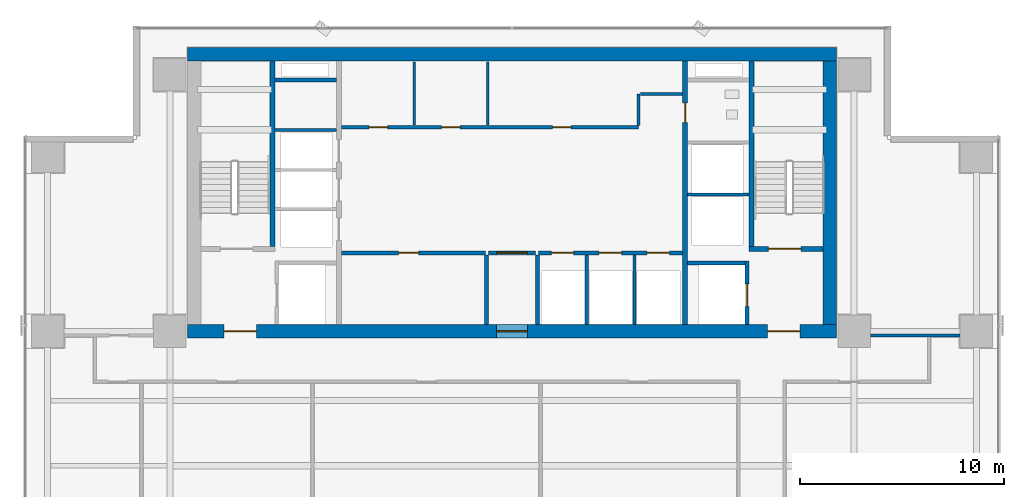
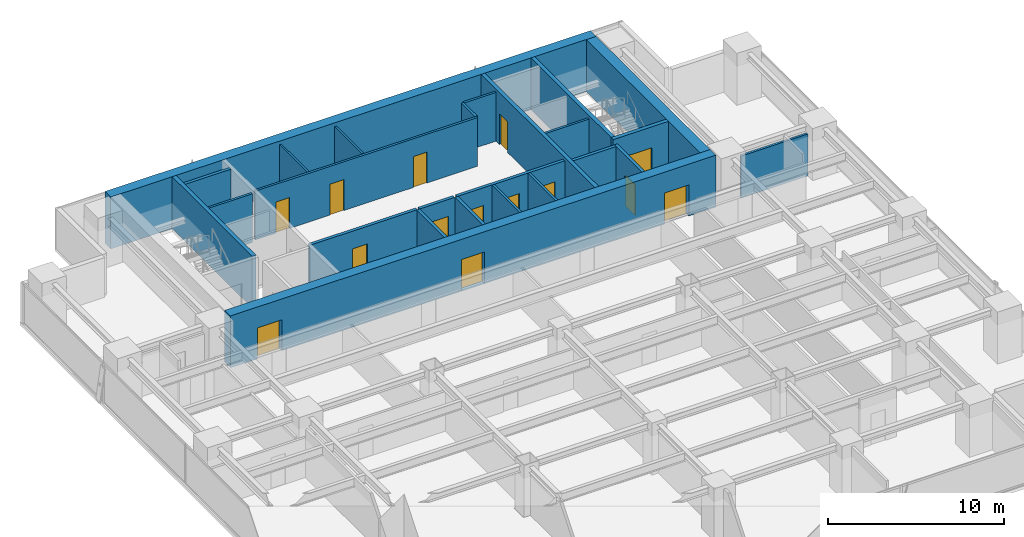
# One storey, part 22 of 28: 25 walls, 14 doors, 14 openings.
"""IFC4 building model written with IfcOpenShell, lengths in metres."""

from ifc_helpers import new_model, si_unit, direction, frame, frame_2d, origin, place, context, subcontext, project, spatial, rectangle, extrude, source, transform, mapped, material, layer, layer_set, type_object, element, fill, save


model = new_model("IFC4")

# Units and contexts
model_context = context("Model", 3, precision=1e-05, world=origin(), true_north=direction((0.0, 1.0)))
body_context = subcontext(model_context, "Body", "Model", "MODEL_VIEW")
ifc_project = project(units=[si_unit("LENGTHUNIT", "METRE"), si_unit("AREAUNIT", "SQUARE_METRE"), si_unit("VOLUMEUNIT", "CUBIC_METRE"), si_unit("PLANEANGLEUNIT", "RADIAN"), si_unit("MASSUNIT", "GRAM", prefix="KILO")], contexts=[model_context])

# Site, building, storey
site_placement = place(None, origin())
site = spatial("IfcSite", under=ifc_project, at=site_placement, CompositionType="ELEMENT")
building_placement = place(site_placement, origin())
building = spatial("IfcBuilding", under=site, at=building_placement, Name="Sumidabori Civic Tower", CompositionType="ELEMENT")
storey_placement = place(building_placement, frame((0.0, 0.0, 153.199951171875)))
storey = spatial("IfcBuildingStorey", under=building, at=storey_placement, Name="L39", CompositionType="ELEMENT", Elevation=153.199951171875)

# Walls
ifc_material_1 = material(Name="Concrete C50/60", Category="concrete")
ifc_layer_1 = layer(ifc_material_1, 0.199951171875, Name="Concrete C50/60")
ifc_layer_set_1 = layer_set([ifc_layer_1], Name="Concrete C50/60")
wall_type_1 = type_object("IfcWallType", Name="WL-SHAFT-200", PredefinedType="SHEAR", material=ifc_layer_set_1)
shared_shape_1 = source(origin(), body_context, "Body", "SweptSolid", [
    extrude(rectangle(XDim=2.824951171875, YDim=0.199951171875, at=frame_2d((1.41259765625, 0.0))), origin(), (0.0, 0.0, 1.0), 3.60009765625),
])
wall_1_placement = place(storey_placement, frame((8.625, 13.550048828125, 0.0), z_axis=(0.0, 0.0, 1.0), x_axis=(1.0, 0.0, 0.0)))
element("IfcWall", 1, at=wall_1_placement, inside=storey, type_object=wall_type_1, Name="Core Shear Wall L39 EL2-N", PredefinedType="SHEAR", context=body_context, shape_type="MappedRepresentation", body=[
    mapped(shared_shape_1, transform((0.0, 0.0, 0.0), x_axis=(1.0, 0.0, 0.0), y_axis=(0.0, 1.0, 0.0), z_axis=(0.0, 0.0, 1.0), scale=1.0)),
])
shared_shape_2 = source(origin(), body_context, "Body", "SweptSolid", [
    extrude(rectangle(XDim=3.02001953125, YDim=0.199951171875, at=frame_2d((1.510009765625, 0.0))), origin(), (0.0, 0.0, 1.0), 3.60009765625),
])
wall_2_placement = place(storey_placement, frame((-11.64501953125, 22.550048828125, 0.0), z_axis=(0.0, 0.0, 1.0), x_axis=(1.0, 0.0, 0.0)))
element("IfcWall", 2, at=wall_2_placement, inside=storey, type_object=wall_type_1, Name="Core Shear Wall L39 RIS1-S", PredefinedType="SHEAR", context=body_context, shape_type="MappedRepresentation", body=[
    mapped(shared_shape_2, transform((0.0, 0.0, 0.0), x_axis=(1.0, 0.0, 0.0), y_axis=(0.0, 1.0, 0.0), z_axis=(0.0, 0.0, 1.0), scale=1.0)),
])
ifc_material_2 = material(Name="Concrete C60/75", Category="concrete")
ifc_layer_2 = layer(ifc_material_2, 0.64990234375, Name="Concrete C60/75")
ifc_layer_set_2 = layer_set([ifc_layer_2], Name="Concrete C60/75")
wall_type_2 = type_object("IfcWallType", Name="WL-CORE-650", PredefinedType="SHEAR", material=ifc_layer_set_2)
shared_shape_3 = source(origin(), body_context, "Body", "SweptSolid", [
    extrude(rectangle(XDim=31.85009765625, YDim=0.64990234375, at=frame_2d((15.925048828125, 0.0))), origin(), (0.0, 0.0, 1.0), 3.60009765625),
])
wall_3_placement = place(storey_placement, frame((-15.925048828125, 23.800048828125, 0.0), z_axis=(0.0, 0.0, 1.0), x_axis=(1.0, 0.0, 0.0)))
element("IfcWall", 3, at=wall_3_placement, inside=storey, type_object=wall_type_2, Name="Core Shear Wall L39 N", PredefinedType="SHEAR", context=body_context, shape_type="MappedRepresentation", body=[
    mapped(shared_shape_3, transform((0.0, 0.0, 0.0), x_axis=(1.0, 0.0, 0.0), y_axis=(0.0, 1.0, 0.0), z_axis=(0.0, 0.0, 1.0), scale=1.0)),
])

# Wall, openings, doors
wall_4_placement = place(storey_placement, frame((-15.925048828125, 10.199951171875, 0.0), z_axis=(0.0, 0.0, 1.0), x_axis=(1.0, 0.0, 0.0)))
wall_4 = element("IfcWall", 4, at=wall_4_placement, inside=storey, type_object=wall_type_2, Name="Core Shear Wall L39 S", PredefinedType="SHEAR", context=body_context, shape_type="MappedRepresentation", body=[
    mapped(shared_shape_3, transform((0.0, 0.0, 0.0), x_axis=(1.0, 0.0, 0.0), y_axis=(0.0, 1.0, 0.0), z_axis=(0.0, 0.0, 1.0), scale=1.0)),
])
opening_1_placement = place(wall_4_placement, frame((1.77490234375, 0.0, 0.0)))
opening_1 = element("IfcOpeningElement", 5, at=opening_1_placement, cuts=wall_4, Name="Opening DR-FD4", PredefinedType="OPENING", context=body_context, shape_type="SweptSolid", body=[
    extrude(rectangle(XDim=1.60009765625, YDim=2.14990234375, at=frame_2d((0.800048828125, 1.074951171875))), frame((0.0, 0.3369140625, 0.0), z_axis=(0.0, -1.0, 0.0), x_axis=(1.0, 0.0, 0.0)), (0.0, 0.0, 1.0), 0.673828125),
])
opening_2_placement = place(wall_4_placement, frame((28.47509765625, 0.0, 0.0)))
opening_2 = element("IfcOpeningElement", 6, at=opening_2_placement, cuts=wall_4, Name="Opening DR-FD4", PredefinedType="OPENING", context=body_context, shape_type="SweptSolid", body=[
    extrude(rectangle(XDim=1.60009765625, YDim=2.14990234375, at=frame_2d((0.800048828125, 1.074951171875))), frame((0.0, 0.3369140625, 0.0), z_axis=(0.0, -1.0, 0.0), x_axis=(1.0, 0.0, 0.0)), (0.0, 0.0, 1.0), 0.673828125),
])
opening_3_placement = place(wall_4_placement, frame((15.175048828125, 0.0, 0.0)))
opening_3 = element("IfcOpeningElement", 7, at=opening_3_placement, cuts=wall_4, Name="Opening DR-FD3", PredefinedType="OPENING", context=body_context, shape_type="SweptSolid", body=[
    extrude(rectangle(XDim=1.5, YDim=2.199951171875, at=frame_2d((0.75, 1.10009765625))), frame((0.0, 0.3369140625, 0.0), z_axis=(0.0, -1.0, 0.0), x_axis=(1.0, 0.0, 0.0)), (0.0, 0.0, 1.0), 0.673828125),
])
ifc_material_3 = material(Name="Steel SN490", Category="steel")
door_type_1 = type_object("IfcDoorType", Name="DR-FD4", OperationType="DOUBLE_DOOR_SINGLE_SWING", PredefinedType="DOOR", material=ifc_material_3)
shared_shape_4 = source(origin(), body_context, "Body", "SweptSolid", [
    extrude(rectangle(XDim=1.60009765625, YDim=2.14990234375, at=frame_2d((0.800048828125, 1.074951171875))), frame((0.0, 0.02490234375, 0.0), z_axis=(0.0, -1.0, 0.0), x_axis=(1.0, 0.0, 0.0)), (0.0, 0.0, 1.0), 0.050048828125),
])
door_1_placement = place(opening_1_placement, origin())
door_1 = element("IfcDoor", 8, at=door_1_placement, inside=storey, type_object=door_type_1, Name="Door DR:L39:ELOB-W", OperationType="DOUBLE_DOOR_SINGLE_SWING", OverallHeight=2.14990234375, OverallWidth=1.60009765625, PredefinedType="DOOR", context=body_context, shape_type="MappedRepresentation", body=[
    mapped(shared_shape_4, transform((0.0, 0.0, 0.0), x_axis=(1.0, 0.0, 0.0), y_axis=(0.0, 1.0, 0.0), z_axis=(0.0, 0.0, 1.0), scale=1.0)),
])
fill(opening_1, door_1)
door_2_placement = place(opening_2_placement, origin())
door_2 = element("IfcDoor", 9, at=door_2_placement, inside=storey, type_object=door_type_1, Name="Door DR:L39:ELOB-E", OperationType="DOUBLE_DOOR_SINGLE_SWING", OverallHeight=2.14990234375, OverallWidth=1.60009765625, PredefinedType="DOOR", context=body_context, shape_type="MappedRepresentation", body=[
    mapped(shared_shape_4, transform((0.0, 0.0, 0.0), x_axis=(1.0, 0.0, 0.0), y_axis=(0.0, 1.0, 0.0), z_axis=(0.0, 0.0, 1.0), scale=1.0)),
])
fill(opening_2, door_2)
door_type_2 = type_object("IfcDoorType", Name="DR-FD-DBL", OperationType="DOUBLE_DOOR_SINGLE_SWING", PredefinedType="DOOR", material=ifc_material_3)
shared_shape_5 = source(origin(), body_context, "Body", "SweptSolid", [
    extrude(rectangle(XDim=1.5, YDim=2.199951171875, at=frame_2d((0.75, 1.10009765625))), frame((0.0, 0.02490234375, 0.0), z_axis=(0.0, -1.0, 0.0), x_axis=(1.0, 0.0, 0.0)), (0.0, 0.0, 1.0), 0.050048828125),
])
door_3_placement = place(opening_3_placement, origin())
door_3 = element("IfcDoor", 10, at=door_3_placement, inside=storey, type_object=door_type_2, Name="Door DR:L39:THROAT-OUT", OperationType="DOUBLE_DOOR_SINGLE_SWING", OverallHeight=2.199951171875, OverallWidth=1.5, PredefinedType="DOOR", context=body_context, shape_type="MappedRepresentation", body=[
    mapped(shared_shape_5, transform((0.0, 0.0, 0.0), x_axis=(1.0, 0.0, 0.0), y_axis=(0.0, 1.0, 0.0), z_axis=(0.0, 0.0, 1.0), scale=1.0)),
])
fill(opening_3, door_3)

# Wall
shared_shape_6 = source(origin(), body_context, "Body", "SweptSolid", [
    extrude(rectangle(XDim=12.9501953125, YDim=0.64990234375, at=frame_2d((6.47509765625, 0.0))), origin(), (0.0, 0.0, 1.0), 3.60009765625),
])
wall_5_placement = place(storey_placement, frame((15.60009765625, 10.52490234375, 0.0), z_axis=(0.0, 0.0, 1.0), x_axis=(0.0, 1.0, 0.0)))
element("IfcWall", 11, at=wall_5_placement, inside=storey, type_object=wall_type_2, Name="Core Shear Wall L39 E", PredefinedType="SHEAR", context=body_context, shape_type="MappedRepresentation", body=[
    mapped(shared_shape_6, transform((0.0, 0.0, 0.0), x_axis=(1.0, 0.0, 0.0), y_axis=(0.0, 1.0, 0.0), z_axis=(0.0, 0.0, 1.0), scale=1.0)),
])

# Wall, opening, door
ifc_layer_3 = layer(ifc_material_1, 0.25, Name="Concrete C50/60")
ifc_layer_set_3 = layer_set([ifc_layer_3], Name="Concrete C50/60")
wall_type_3 = type_object("IfcWallType", Name="WL-SHAFT-250", PredefinedType="SHEAR", material=ifc_layer_set_3)
shared_shape_7 = source(origin(), body_context, "Body", "SweptSolid", [
    extrude(rectangle(XDim=12.9501953125, YDim=0.25, at=frame_2d((6.47509765625, 0.0))), origin(), (0.0, 0.0, 1.0), 3.60009765625),
])
wall_6_placement = place(storey_placement, frame((8.5, 10.52490234375, 0.0), z_axis=(0.0, 0.0, 1.0), x_axis=(0.0, 1.0, 0.0)))
wall_6 = element("IfcWall", 12, at=wall_6_placement, inside=storey, type_object=wall_type_3, Name="Core Shear Wall L39 WEB-E", PredefinedType="SHEAR", context=body_context, shape_type="MappedRepresentation", body=[
    mapped(shared_shape_7, transform((0.0, 0.0, 0.0), x_axis=(1.0, 0.0, 0.0), y_axis=(0.0, 1.0, 0.0), z_axis=(0.0, 0.0, 1.0), scale=1.0)),
])
opening_4_placement = place(wall_6_placement, frame((9.925048828125, 0.0, 0.0)))
opening_4 = element("IfcOpeningElement", 13, at=opening_4_placement, cuts=wall_6, Name="Opening DR-2", PredefinedType="OPENING", context=body_context, shape_type="SweptSolid", body=[
    extrude(rectangle(XDim=0.949951171875, YDim=2.14990234375, at=frame_2d((0.47509765625, 1.074951171875))), frame((0.0, 0.136962890625, 0.0), z_axis=(0.0, -1.0, 0.0), x_axis=(1.0, 0.0, 0.0)), (0.0, 0.0, 1.0), 0.27392578125),
])
ifc_material_4 = material(Name="Japanese Hinoki Timber", Category="wood")
door_type_3 = type_object("IfcDoorType", Name="DR-INT-950", OperationType="NOTDEFINED", PredefinedType="DOOR", material=ifc_material_4)
shared_shape_8 = source(origin(), body_context, "Body", "SweptSolid", [
    extrude(rectangle(XDim=0.949951171875, YDim=2.14990234375, at=frame_2d((0.47509765625, 1.074951171875))), frame((0.0, 0.02490234375, 0.0), z_axis=(0.0, -1.0, 0.0), x_axis=(1.0, 0.0, 0.0)), (0.0, 0.0, 1.0), 0.050048828125),
])
door_4_placement = place(opening_4_placement, origin())
door_4 = element("IfcDoor", 14, at=door_4_placement, inside=storey, type_object=door_type_3, Name="Door DR:L39:WC-ACC", OperationType="SINGLE_SWING_RIGHT", OverallHeight=2.14990234375, OverallWidth=0.949951171875, PredefinedType="DOOR", context=body_context, shape_type="MappedRepresentation", body=[
    mapped(shared_shape_8, transform((0.0, 0.0, 0.0), x_axis=(1.0, 0.0, 0.0), y_axis=(0.0, 1.0, 0.0), z_axis=(0.0, 0.0, 1.0), scale=1.0)),
])
fill(opening_4, door_4)

shared_shape_9 = source(origin(), body_context, "Body", "SweptSolid", [
    extrude(rectangle(XDim=3.6298828125, YDim=0.25, at=frame_2d((1.81494140625, 0.0))), origin(), (0.0, 0.0, 1.0), 3.60009765625),
])
wall_7_placement = place(storey_placement, frame((11.64501953125, 14.25, 0.0), z_axis=(0.0, 0.0, 1.0), x_axis=(1.0, 0.0, 0.0)))
wall_7 = element("IfcWall", 15, at=wall_7_placement, inside=storey, type_object=wall_type_3, Name="Core Shear Wall L39 ST2-S", PredefinedType="SHEAR", context=body_context, shape_type="MappedRepresentation", body=[
    mapped(shared_shape_9, transform((0.0, 0.0, 0.0), x_axis=(1.0, 0.0, 0.0), y_axis=(0.0, 1.0, 0.0), z_axis=(0.0, 0.0, 1.0), scale=1.0)),
])
opening_5_placement = place(wall_7_placement, frame((0.949951171875, 0.0, 0.0)))
opening_5 = element("IfcOpeningElement", 16, at=opening_5_placement, cuts=wall_7, Name="Opening DR-FD4", PredefinedType="OPENING", context=body_context, shape_type="SweptSolid", body=[
    extrude(rectangle(XDim=1.60009765625, YDim=2.14990234375, at=frame_2d((0.800048828125, 1.074951171875))), frame((0.0, 0.136962890625, 0.0), z_axis=(0.0, -1.0, 0.0), x_axis=(1.0, 0.0, 0.0)), (0.0, 0.0, 1.0), 0.27392578125),
])
door_5_placement = place(opening_5_placement, origin())
door_5 = element("IfcDoor", 17, at=door_5_placement, inside=storey, type_object=door_type_1, Name="Door DR:L39:ST2", OperationType="DOUBLE_DOOR_SINGLE_SWING", OverallHeight=2.14990234375, OverallWidth=1.60009765625, PredefinedType="DOOR", context=body_context, shape_type="MappedRepresentation", body=[
    mapped(shared_shape_4, transform((0.0, 0.0, 0.0), x_axis=(1.0, 0.0, 0.0), y_axis=(0.0, 1.0, 0.0), z_axis=(0.0, 0.0, 1.0), scale=1.0)),
])
fill(opening_5, door_5)

# Walls
shared_shape_10 = source(origin(), body_context, "Body", "SweptSolid", [
    extrude(rectangle(XDim=9.10009765625, YDim=0.25, at=frame_2d((4.550048828125, 0.0))), origin(), (0.0, 0.0, 1.0), 3.60009765625),
])
for number, where, z_axis, x_axis, name in (
    (18, (-11.77001953125, 14.375, 0.0), (0.0, 0.0, 1.0), (0.0, 1.0, 0.0), "Core Shear Wall L39 ST1-E"),
    (19, (11.77001953125, 14.375, 0.0), (0.0, 0.0, 1.0), (0.0, 1.0, 0.0), "Core Shear Wall L39 ST2-W"),
):
    element("IfcWall", number, at=place(storey_placement, frame(where, z_axis=z_axis, x_axis=x_axis)), inside=storey, type_object=wall_type_3, Name=name, PredefinedType="SHEAR", context=body_context, shape_type="MappedRepresentation", body=[
        mapped(shared_shape_10, transform((0.0, 0.0, 0.0), x_axis=(1.0, 0.0, 0.0), y_axis=(0.0, 1.0, 0.0), z_axis=(0.0, 0.0, 1.0), scale=1.0)),
    ])

# Wall, opening, door
shared_shape_11 = source(origin(), body_context, "Body", "SweptSolid", [
    extrude(rectangle(XDim=3.125, YDim=0.199951171875, at=frame_2d((1.5625, 0.0))), origin(), (0.0, 0.0, 1.0), 3.60009765625),
])
wall_8_placement = place(storey_placement, frame((11.550048828125, 10.52490234375, 0.0), z_axis=(0.0, 0.0, 1.0), x_axis=(0.0, 1.0, 0.0)))
wall_8 = element("IfcWall", 20, at=wall_8_placement, inside=storey, type_object=wall_type_1, Name="Core Shear Wall L39 EL2-E", PredefinedType="SHEAR", context=body_context, shape_type="MappedRepresentation", body=[
    mapped(shared_shape_11, transform((0.0, 0.0, 0.0), x_axis=(1.0, 0.0, 0.0), y_axis=(0.0, 1.0, 0.0), z_axis=(0.0, 0.0, 1.0), scale=1.0)),
])
opening_6_placement = place(wall_8_placement, frame((0.89990234375, 0.0, 0.0)))
opening_6 = element("IfcOpeningElement", 21, at=opening_6_placement, cuts=wall_8, Name="Opening LD-2", PredefinedType="OPENING", context=body_context, shape_type="SweptSolid", body=[
    extrude(rectangle(XDim=1.10009765625, YDim=2.14990234375, at=frame_2d((0.550048828125, 1.074951171875))), frame((0.0, 0.11181640625, 0.0), z_axis=(0.0, -1.0, 0.0), x_axis=(1.0, 0.0, 0.0)), (0.0, 0.0, 1.0), 0.223876953125),
])
ifc_material_5 = material(Name="Stainless Steel Hairline Finish", Category="steel")
door_type_4 = type_object("IfcDoorType", Name="DR-LD2", OperationType="DOUBLE_DOOR_SLIDING", PredefinedType="DOOR", material=ifc_material_5)
shared_shape_12 = source(origin(), body_context, "Body", "SweptSolid", [
    extrude(rectangle(XDim=1.10009765625, YDim=2.14990234375, at=frame_2d((0.550048828125, 1.074951171875))), frame((0.0, 0.02490234375, 0.0), z_axis=(0.0, -1.0, 0.0), x_axis=(1.0, 0.0, 0.0)), (0.0, 0.0, 1.0), 0.050048828125),
])
door_6_placement = place(opening_6_placement, origin())
door_6 = element("IfcDoor", 22, at=door_6_placement, inside=storey, type_object=door_type_4, Name="Door DR:L39:LD-EL2", OperationType="DOUBLE_DOOR_SLIDING", OverallHeight=2.14990234375, OverallWidth=1.10009765625, PredefinedType="DOOR", context=body_context, shape_type="MappedRepresentation", body=[
    mapped(shared_shape_12, transform((0.0, 0.0, 0.0), x_axis=(1.0, 0.0, 0.0), y_axis=(0.0, 1.0, 0.0), z_axis=(0.0, 0.0, 1.0), scale=1.0)),
])
fill(opening_6, door_6)

# Walls
ifc_material_6 = material(Name="Gypsum Plasterboard Acoustic Partition")
ifc_layer_4 = layer(ifc_material_6, 0.14990234375, Name="Gypsum Plasterboard Acoustic Partition")
ifc_layer_set_4 = layer_set([ifc_layer_4], Name="Gypsum Plasterboard Acoustic Partition")
wall_type_4 = type_object("IfcWallType", Name="WL-PART-150", PredefinedType="PARTITIONING", material=ifc_layer_set_4)
shared_shape_13 = source(origin(), body_context, "Body", "SweptSolid", [
    extrude(rectangle(XDim=3.010009765625, YDim=0.14990234375, at=frame_2d((1.5048828125, 0.0))), origin(), (0.0, 0.0, 1.0), 3.380126953125),
])
for number, where, z_axis, x_axis, name in (
    (23, (-11.639892578125, 20.080078125, 0.0), (0.0, 0.0, 1.0), (1.0, 0.0, 0.0), "Interior Partition WL:L39:DIV-PLH3"),
    (24, (8.6298828125, 16.919921875, 0.0), (0.0, 0.0, 1.0), (1.0, 0.0, 0.0), "Interior Partition WL:L39:DIV-OBS1"),
):
    element("IfcWall", number, at=place(storey_placement, frame(where, z_axis=z_axis, x_axis=x_axis)), inside=storey, type_object=wall_type_4, Name=name, PredefinedType="PARTITIONING", context=body_context, shape_type="MappedRepresentation", body=[
        mapped(shared_shape_13, transform((0.0, 0.0, 0.0), x_axis=(1.0, 0.0, 0.0), y_axis=(0.0, 1.0, 0.0), z_axis=(0.0, 0.0, 1.0), scale=1.0)),
    ])

# Wall, opening, door
ifc_material_7 = material(Name="Gypsum Plasterboard Fire Partition")
ifc_layer_5 = layer(ifc_material_7, 0.199951171875, Name="Gypsum Plasterboard Fire Partition")
ifc_layer_set_5 = layer_set([ifc_layer_5], Name="Gypsum Plasterboard Fire Partition")
wall_type_5 = type_object("IfcWallType", Name="WL-PART-FIRE", PredefinedType="PARTITIONING", material=ifc_layer_set_5)
shared_shape_14 = source(origin(), body_context, "Body", "SweptSolid", [
    extrude(rectangle(XDim=7.070068359375, YDim=0.199951171875, at=frame_2d((3.53515625, 0.0))), origin(), (0.0, 0.0, 1.0), 3.380126953125),
])
wall_9_placement = place(storey_placement, frame((-8.3701171875, 14.050048828125, 0.0), z_axis=(0.0, 0.0, 1.0), x_axis=(1.0, 0.0, 0.0)))
wall_9 = element("IfcWall", 25, at=wall_9_placement, inside=storey, type_object=wall_type_5, Name="Interior Partition WL:L39:CBAND-SW", PredefinedType="PARTITIONING", context=body_context, shape_type="MappedRepresentation", body=[
    mapped(shared_shape_14, transform((0.0, 0.0, 0.0), x_axis=(1.0, 0.0, 0.0), y_axis=(0.0, 1.0, 0.0), z_axis=(0.0, 0.0, 1.0), scale=1.0)),
])
opening_7_placement = place(wall_9_placement, frame((2.800048828125, 0.0, 0.0)))
opening_7 = element("IfcOpeningElement", 26, at=opening_7_placement, cuts=wall_9, Name="Opening DR-3", PredefinedType="OPENING", context=body_context, shape_type="SweptSolid", body=[
    extrude(rectangle(XDim=0.97998046875, YDim=2.14990234375, at=frame_2d((0.489990234375, 1.074951171875))), frame((0.0, 0.11181640625, 0.0), z_axis=(0.0, -1.0, 0.0), x_axis=(1.0, 0.0, 0.0)), (0.0, 0.0, 1.0), 0.223876953125),
])
door_type_5 = type_object("IfcDoorType", Name="DR-INT-980", OperationType="NOTDEFINED", PredefinedType="DOOR", material=ifc_material_4)
shared_shape_15 = source(origin(), body_context, "Body", "SweptSolid", [
    extrude(rectangle(XDim=0.97998046875, YDim=2.14990234375, at=frame_2d((0.489990234375, 1.074951171875))), frame((0.0, 0.02490234375, 0.0), z_axis=(0.0, -1.0, 0.0), x_axis=(1.0, 0.0, 0.0)), (0.0, 0.0, 1.0), 0.050048828125),
])
door_7_placement = place(opening_7_placement, origin())
door_7 = element("IfcDoor", 27, at=door_7_placement, inside=storey, type_object=door_type_5, Name="Door DR:L39:REC-B1", OperationType="SINGLE_SWING_LEFT", OverallHeight=2.14990234375, OverallWidth=0.97998046875, PredefinedType="DOOR", context=body_context, shape_type="MappedRepresentation", body=[
    mapped(shared_shape_15, transform((0.0, 0.0, 0.0), x_axis=(1.0, 0.0, 0.0), y_axis=(0.0, 1.0, 0.0), z_axis=(0.0, 0.0, 1.0), scale=1.0)),
])
fill(opening_7, door_7)

# Wall, openings, doors
wall_10_placement = place(storey_placement, frame((1.300048828125, 14.050048828125, 0.0), z_axis=(0.0, 0.0, 1.0), x_axis=(1.0, 0.0, 0.0)))
wall_10 = element("IfcWall", 28, at=wall_10_placement, inside=storey, type_object=wall_type_5, Name="Interior Partition WL:L39:CBAND-SE", PredefinedType="PARTITIONING", context=body_context, shape_type="MappedRepresentation", body=[
    mapped(shared_shape_14, transform((0.0, 0.0, 0.0), x_axis=(1.0, 0.0, 0.0), y_axis=(0.0, 1.0, 0.0), z_axis=(0.0, 0.0, 1.0), scale=1.0)),
])
opening_8_placement = place(wall_10_placement, frame((0.6298828125, 0.0, 0.0)))
opening_8 = element("IfcOpeningElement", 29, at=opening_8_placement, cuts=wall_10, Name="Opening LD-1", PredefinedType="OPENING", context=body_context, shape_type="SweptSolid", body=[
    extrude(rectangle(XDim=1.10009765625, YDim=2.14990234375, at=frame_2d((0.550048828125, 1.074951171875))), frame((0.0, 0.11181640625, 0.0), z_axis=(0.0, -1.0, 0.0), x_axis=(1.0, 0.0, 0.0)), (0.0, 0.0, 1.0), 0.223876953125),
])
opening_9_placement = place(wall_10_placement, frame((2.97998046875, 0.0, 0.0)))
opening_9 = element("IfcOpeningElement", 30, at=opening_9_placement, cuts=wall_10, Name="Opening LD-1", PredefinedType="OPENING", context=body_context, shape_type="SweptSolid", body=[
    extrude(rectangle(XDim=1.10009765625, YDim=2.14990234375, at=frame_2d((0.550048828125, 1.074951171875))), frame((0.0, 0.11181640625, 0.0), z_axis=(0.0, -1.0, 0.0), x_axis=(1.0, 0.0, 0.0)), (0.0, 0.0, 1.0), 0.223876953125),
])
opening_10_placement = place(wall_10_placement, frame((5.330078125, 0.0, 0.0)))
opening_10 = element("IfcOpeningElement", 31, at=opening_10_placement, cuts=wall_10, Name="Opening LD-1", PredefinedType="OPENING", context=body_context, shape_type="SweptSolid", body=[
    extrude(rectangle(XDim=1.10009765625, YDim=2.14990234375, at=frame_2d((0.550048828125, 1.074951171875))), frame((0.0, 0.11181640625, 0.0), z_axis=(0.0, -1.0, 0.0), x_axis=(1.0, 0.0, 0.0)), (0.0, 0.0, 1.0), 0.223876953125),
])
door_type_6 = type_object("IfcDoorType", Name="DR-LD1", OperationType="DOUBLE_DOOR_SLIDING", PredefinedType="DOOR", material=ifc_material_5)
door_8_placement = place(opening_8_placement, origin())
door_8 = element("IfcDoor", 32, at=door_8_placement, inside=storey, type_object=door_type_6, Name="Door DR:L39:LD-PLM1", OperationType="DOUBLE_DOOR_SLIDING", OverallHeight=2.14990234375, OverallWidth=1.10009765625, PredefinedType="DOOR", context=body_context, shape_type="MappedRepresentation", body=[
    mapped(shared_shape_12, transform((0.0, 0.0, 0.0), x_axis=(1.0, 0.0, 0.0), y_axis=(0.0, 1.0, 0.0), z_axis=(0.0, 0.0, 1.0), scale=1.0)),
])
fill(opening_8, door_8)
door_9_placement = place(opening_9_placement, origin())
door_9 = element("IfcDoor", 33, at=door_9_placement, inside=storey, type_object=door_type_6, Name="Door DR:L39:LD-PLM2", OperationType="DOUBLE_DOOR_SLIDING", OverallHeight=2.14990234375, OverallWidth=1.10009765625, PredefinedType="DOOR", context=body_context, shape_type="MappedRepresentation", body=[
    mapped(shared_shape_12, transform((0.0, 0.0, 0.0), x_axis=(1.0, 0.0, 0.0), y_axis=(0.0, 1.0, 0.0), z_axis=(0.0, 0.0, 1.0), scale=1.0)),
])
fill(opening_9, door_9)
door_10_placement = place(opening_10_placement, origin())
door_10 = element("IfcDoor", 34, at=door_10_placement, inside=storey, type_object=door_type_6, Name="Door DR:L39:LD-PLM3", OperationType="DOUBLE_DOOR_SLIDING", OverallHeight=2.14990234375, OverallWidth=1.10009765625, PredefinedType="DOOR", context=body_context, shape_type="MappedRepresentation", body=[
    mapped(shared_shape_12, transform((0.0, 0.0, 0.0), x_axis=(1.0, 0.0, 0.0), y_axis=(0.0, 1.0, 0.0), z_axis=(0.0, 0.0, 1.0), scale=1.0)),
])
fill(opening_10, door_10)

# Walls
shared_shape_16 = source(origin(), body_context, "Body", "SweptSolid", [
    extrude(rectangle(XDim=3.4150390625, YDim=0.199951171875, at=frame_2d((1.70751953125, 0.0))), origin(), (0.0, 0.0, 1.0), 3.380126953125),
])
for number, where, z_axis, x_axis, name in (
    (35, (-1.25, 10.52490234375, 0.0), (0.0, 0.0, 1.0), (0.0, 1.0, 0.0), "Interior Partition WL:L39:THROAT-W"),
    (36, (1.25, 10.52490234375, 0.0), (0.0, 0.0, 1.0), (0.0, 1.0, 0.0), "Interior Partition WL:L39:THROAT-E"),
):
    element("IfcWall", number, at=place(storey_placement, frame(where, z_axis=z_axis, x_axis=x_axis)), inside=storey, type_object=wall_type_5, Name=name, PredefinedType="PARTITIONING", context=body_context, shape_type="MappedRepresentation", body=[
        mapped(shared_shape_16, transform((0.0, 0.0, 0.0), x_axis=(1.0, 0.0, 0.0), y_axis=(0.0, 1.0, 0.0), z_axis=(0.0, 0.0, 1.0), scale=1.0)),
    ])

# Wall, opening, door
shared_shape_17 = source(origin(), body_context, "Body", "SweptSolid", [
    extrude(rectangle(XDim=2.2998046875, YDim=0.199951171875, at=frame_2d((1.14990234375, 0.0))), origin(), (0.0, 0.0, 1.0), 3.380126953125),
])
wall_11_placement = place(storey_placement, frame((-1.14990234375, 14.050048828125, 0.0), z_axis=(0.0, 0.0, 1.0), x_axis=(1.0, 0.0, 0.0)))
wall_11 = element("IfcWall", 37, at=wall_11_placement, inside=storey, type_object=wall_type_5, Name="Interior Partition WL:L39:THROAT-N", PredefinedType="PARTITIONING", context=body_context, shape_type="MappedRepresentation", body=[
    mapped(shared_shape_17, transform((0.0, 0.0, 0.0), x_axis=(1.0, 0.0, 0.0), y_axis=(0.0, 1.0, 0.0), z_axis=(0.0, 0.0, 1.0), scale=1.0)),
])
opening_11_placement = place(wall_11_placement, frame((0.39990234375, 0.0, 0.0)))
opening_11 = element("IfcOpeningElement", 38, at=opening_11_placement, cuts=wall_11, Name="Opening DR-FD3", PredefinedType="OPENING", context=body_context, shape_type="SweptSolid", body=[
    extrude(rectangle(XDim=1.5, YDim=2.199951171875, at=frame_2d((0.75, 1.10009765625))), frame((0.0, 0.11181640625, 0.0), z_axis=(0.0, -1.0, 0.0), x_axis=(1.0, 0.0, 0.0)), (0.0, 0.0, 1.0), 0.223876953125),
])
door_11_placement = place(opening_11_placement, origin())
door_11 = element("IfcDoor", 39, at=door_11_placement, inside=storey, type_object=door_type_2, Name="Door DR:L39:THROAT-IN", OperationType="DOUBLE_DOOR_SINGLE_SWING", OverallHeight=2.199951171875, OverallWidth=1.5, PredefinedType="DOOR", context=body_context, shape_type="MappedRepresentation", body=[
    mapped(shared_shape_5, transform((0.0, 0.0, 0.0), x_axis=(1.0, 0.0, 0.0), y_axis=(0.0, 1.0, 0.0), z_axis=(0.0, 0.0, 1.0), scale=1.0)),
])
fill(opening_11, door_11)

# Wall, openings, doors
shared_shape_18 = source(origin(), body_context, "Body", "SweptSolid", [
    extrude(rectangle(XDim=14.590087890625, YDim=0.14990234375, at=frame_2d((7.294921875, 0.0))), origin(), (0.0, 0.0, 1.0), 3.380126953125),
])
wall_12_placement = place(storey_placement, frame((-8.3701171875, 20.219970703125, 0.0), z_axis=(0.0, 0.0, 1.0), x_axis=(1.0, 0.0, 0.0)))
wall_12 = element("IfcWall", 40, at=wall_12_placement, inside=storey, type_object=wall_type_4, Name="Interior Partition WL:L39:CBAND-M", PredefinedType="PARTITIONING", context=body_context, shape_type="MappedRepresentation", body=[
    mapped(shared_shape_18, transform((0.0, 0.0, 0.0), x_axis=(1.0, 0.0, 0.0), y_axis=(0.0, 1.0, 0.0), z_axis=(0.0, 0.0, 1.0), scale=1.0)),
])
opening_12_placement = place(wall_12_placement, frame((1.360107421875, 0.0, 0.0)))
opening_12 = element("IfcOpeningElement", 41, at=opening_12_placement, cuts=wall_12, Name="Opening DR-1", PredefinedType="OPENING", context=body_context, shape_type="SweptSolid", body=[
    extrude(rectangle(XDim=0.89990234375, YDim=2.14990234375, at=frame_2d((0.449951171875, 1.074951171875))), frame((0.0, 0.0869140625, 0.0), z_axis=(0.0, -1.0, 0.0), x_axis=(1.0, 0.0, 0.0)), (0.0, 0.0, 1.0), 0.173828125),
])
opening_13_placement = place(wall_12_placement, frame((4.919921875, 0.0, 0.0)))
opening_13 = element("IfcOpeningElement", 42, at=opening_13_placement, cuts=wall_12, Name="Opening DR-1", PredefinedType="OPENING", context=body_context, shape_type="SweptSolid", body=[
    extrude(rectangle(XDim=0.89990234375, YDim=2.14990234375, at=frame_2d((0.449951171875, 1.074951171875))), frame((0.0, 0.0869140625, 0.0), z_axis=(0.0, -1.0, 0.0), x_axis=(1.0, 0.0, 0.0)), (0.0, 0.0, 1.0), 0.173828125),
])
opening_14_placement = place(wall_12_placement, frame((10.3701171875, 0.0, 0.0)))
opening_14 = element("IfcOpeningElement", 43, at=opening_14_placement, cuts=wall_12, Name="Opening DR-1", PredefinedType="OPENING", context=body_context, shape_type="SweptSolid", body=[
    extrude(rectangle(XDim=0.89990234375, YDim=2.14990234375, at=frame_2d((0.449951171875, 1.074951171875))), frame((0.0, 0.0869140625, 0.0), z_axis=(0.0, -1.0, 0.0), x_axis=(1.0, 0.0, 0.0)), (0.0, 0.0, 1.0), 0.173828125),
])
door_type_7 = type_object("IfcDoorType", Name="DR-INT-900", OperationType="NOTDEFINED", PredefinedType="DOOR", material=ifc_material_4)
shared_shape_19 = source(origin(), body_context, "Body", "SweptSolid", [
    extrude(rectangle(XDim=0.89990234375, YDim=2.14990234375, at=frame_2d((0.449951171875, 1.074951171875))), frame((0.0, 0.02490234375, 0.0), z_axis=(0.0, -1.0, 0.0), x_axis=(1.0, 0.0, 0.0)), (0.0, 0.0, 1.0), 0.050048828125),
])
door_12_placement = place(opening_12_placement, origin())
door_12 = element("IfcDoor", 44, at=door_12_placement, inside=storey, type_object=door_type_7, Name="Door DR:L39:CB-1", OperationType="SINGLE_SWING_LEFT", OverallHeight=2.14990234375, OverallWidth=0.89990234375, PredefinedType="DOOR", context=body_context, shape_type="MappedRepresentation", body=[
    mapped(shared_shape_19, transform((0.0, 0.0, 0.0), x_axis=(1.0, 0.0, 0.0), y_axis=(0.0, 1.0, 0.0), z_axis=(0.0, 0.0, 1.0), scale=1.0)),
])
fill(opening_12, door_12)
door_13_placement = place(opening_13_placement, origin())
door_13 = element("IfcDoor", 45, at=door_13_placement, inside=storey, type_object=door_type_7, Name="Door DR:L39:CB-2", OperationType="SINGLE_SWING_RIGHT", OverallHeight=2.14990234375, OverallWidth=0.89990234375, PredefinedType="DOOR", context=body_context, shape_type="MappedRepresentation", body=[
    mapped(shared_shape_19, transform((0.0, 0.0, 0.0), x_axis=(1.0, 0.0, 0.0), y_axis=(0.0, 1.0, 0.0), z_axis=(0.0, 0.0, 1.0), scale=1.0)),
])
fill(opening_13, door_13)
door_14_placement = place(opening_14_placement, origin())
door_14 = element("IfcDoor", 46, at=door_14_placement, inside=storey, type_object=door_type_7, Name="Door DR:L39:CB-3", OperationType="SINGLE_SWING_LEFT", OverallHeight=2.14990234375, OverallWidth=0.89990234375, PredefinedType="DOOR", context=body_context, shape_type="MappedRepresentation", body=[
    mapped(shared_shape_19, transform((0.0, 0.0, 0.0), x_axis=(1.0, 0.0, 0.0), y_axis=(0.0, 1.0, 0.0), z_axis=(0.0, 0.0, 1.0), scale=1.0)),
])
fill(opening_14, door_14)

# Walls
shared_shape_20 = source(origin(), body_context, "Body", "SweptSolid", [
    extrude(rectangle(XDim=1.550048828125, YDim=0.14990234375, at=frame_2d((0.77490234375, 0.0))), origin(), (0.0, 0.0, 1.0), 3.380126953125),
])
wall_13_placement = place(storey_placement, frame((6.219970703125, 20.300048828125, 0.0), z_axis=(0.0, 0.0, 1.0), x_axis=(0.0, 1.0, 0.0)))
element("IfcWall", 47, at=wall_13_placement, inside=storey, type_object=wall_type_4, Name="Interior Partition WL:L39:CBAND-ME1", PredefinedType="PARTITIONING", context=body_context, shape_type="MappedRepresentation", body=[
    mapped(shared_shape_20, transform((0.0, 0.0, 0.0), x_axis=(1.0, 0.0, 0.0), y_axis=(0.0, 1.0, 0.0), z_axis=(0.0, 0.0, 1.0), scale=1.0)),
])
shared_shape_21 = source(origin(), body_context, "Body", "SweptSolid", [
    extrude(rectangle(XDim=2.070068359375, YDim=0.14990234375, at=frame_2d((1.03515625, 0.0))), origin(), (0.0, 0.0, 1.0), 3.380126953125),
])
wall_14_placement = place(storey_placement, frame((6.300048828125, 21.85009765625, 0.0), z_axis=(0.0, 0.0, 1.0), x_axis=(1.0, 0.0, 0.0)))
element("IfcWall", 48, at=wall_14_placement, inside=storey, type_object=wall_type_4, Name="Interior Partition WL:L39:CBAND-ME2", PredefinedType="PARTITIONING", context=body_context, shape_type="MappedRepresentation", body=[
    mapped(shared_shape_21, transform((0.0, 0.0, 0.0), x_axis=(1.0, 0.0, 0.0), y_axis=(0.0, 1.0, 0.0), z_axis=(0.0, 0.0, 1.0), scale=1.0)),
])
shared_shape_22 = source(origin(), body_context, "Body", "SweptSolid", [
    extrude(rectangle(XDim=3.4150390625, YDim=0.14990234375, at=frame_2d((1.70751953125, 0.0))), origin(), (0.0, 0.0, 1.0), 3.380126953125),
])
for number, where, z_axis, x_axis, name in (
    (49, (3.669921875, 10.52490234375, 0.0), (0.0, 0.0, 1.0), (0.0, 1.0, 0.0), "Interior Partition WL:L39:DIV-PLM1"),
    (50, (6.02001953125, 10.52490234375, 0.0), (0.0, 0.0, 1.0), (0.0, 1.0, 0.0), "Interior Partition WL:L39:DIV-PLM2"),
):
    element("IfcWall", number, at=place(storey_placement, frame(where, z_axis=z_axis, x_axis=x_axis)), inside=storey, type_object=wall_type_4, Name=name, PredefinedType="PARTITIONING", context=body_context, shape_type="MappedRepresentation", body=[
        mapped(shared_shape_22, transform((0.0, 0.0, 0.0), x_axis=(1.0, 0.0, 0.0), y_axis=(0.0, 1.0, 0.0), z_axis=(0.0, 0.0, 1.0), scale=1.0)),
    ])
ifc_layer_6 = layer(ifc_material_6, 0.1201171875, Name="Gypsum Plasterboard Acoustic Partition")
ifc_layer_set_6 = layer_set([ifc_layer_6], Name="Gypsum Plasterboard Acoustic Partition")
wall_type_6 = type_object("IfcWallType", Name="WL-PART-120", PredefinedType="PARTITIONING", material=ifc_layer_set_6)
shared_shape_23 = source(origin(), body_context, "Body", "SweptSolid", [
    extrude(rectangle(XDim=3.114990234375, YDim=0.1201171875, at=frame_2d((1.5576171875, 0.0))), origin(), (0.0, 0.0, 1.0), 3.380126953125),
])
for number, where, z_axis, x_axis, name in (
    (51, (-4.800048828125, 20.320068359375, 0.0), (0.0, 0.0, 1.0), (0.0, 1.0, 0.0), "Interior Partition WL:L39:LV8-S1"),
    (52, (-1.199951171875, 20.320068359375, 0.0), (0.0, 0.0, 1.0), (0.0, 1.0, 0.0), "Interior Partition WL:L39:LV8-S2"),
):
    element("IfcWall", number, at=place(storey_placement, frame(where, z_axis=z_axis, x_axis=x_axis)), inside=storey, type_object=wall_type_6, Name=name, PredefinedType="PARTITIONING", context=body_context, shape_type="MappedRepresentation", body=[
        mapped(shared_shape_23, transform((0.0, 0.0, 0.0), x_axis=(1.0, 0.0, 0.0), y_axis=(0.0, 1.0, 0.0), z_axis=(0.0, 0.0, 1.0), scale=1.0)),
    ])
shared_shape_24 = source(origin(), body_context, "Body", "SweptSolid", [
    extrude(rectangle(XDim=4.3798828125, YDim=0.14990234375, at=frame_2d((2.18994140625, 0.0))), origin(), (0.0, 0.0, 1.0), 2.9150390625),
])
wall_15_placement = place(storey_placement, frame((17.610107421875, 10.0, 0.0), z_axis=(0.0, 0.0, 1.0), x_axis=(1.0, 0.0, 0.0)))
element("IfcWall", 53, at=wall_15_placement, inside=storey, type_object=wall_type_4, Name="Interior Partition WL:L39:FLK-NE", PredefinedType="PARTITIONING", context=body_context, shape_type="MappedRepresentation", body=[
    mapped(shared_shape_24, transform((0.0, 0.0, 0.0), x_axis=(1.0, 0.0, 0.0), y_axis=(0.0, 1.0, 0.0), z_axis=(0.0, 0.0, 1.0), scale=1.0)),
])

save(model, "model.ifc")
